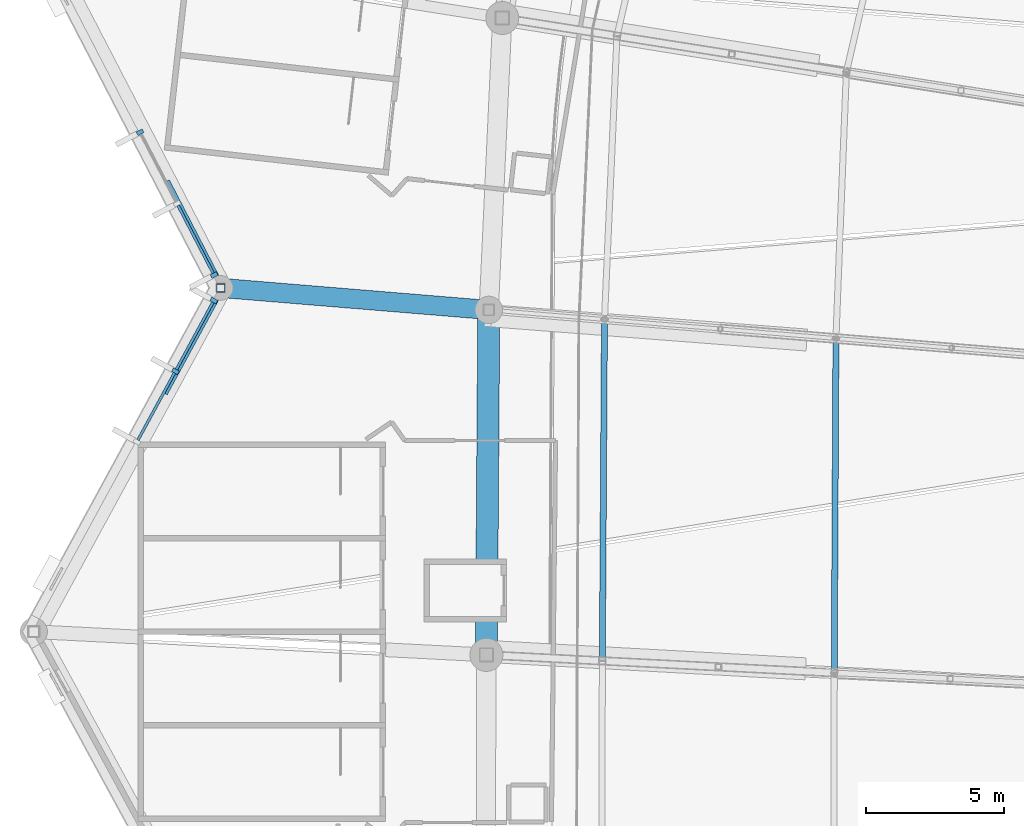
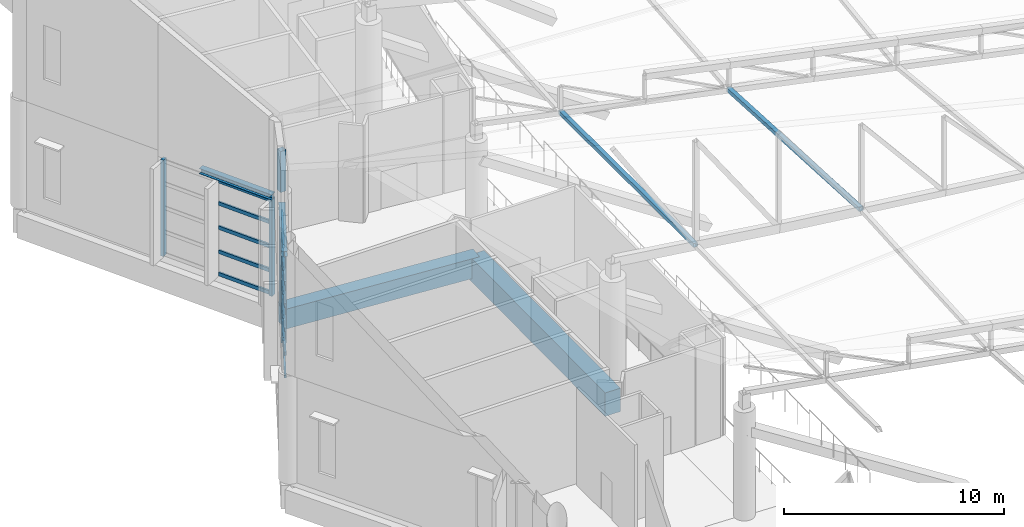
# One storey, part 119 of 344: 22 members, 4 beams, 2 elements without a shape of their own.
"""IFC4 building model written with IfcOpenShell, lengths in metres."""

from ifc_helpers import new_model, si_unit, direction, frame, origin, origin_2d, place, context, subcontext, project, spatial, rectangle, hollow_rectangle, i_section, extrude, material, layer, layer_set, material_profile, profile_set, type_object, element, aggregate, save


model = new_model("IFC4")

# Units and contexts
model_context = context("Model", 3, precision=1e-05, world=origin(), true_north=direction((0.0, 1.0)))
body_context = subcontext(model_context, "Body", "Model", "MODEL_VIEW")
ifc_project = project(units=[si_unit("LENGTHUNIT", "METRE"), si_unit("AREAUNIT", "SQUARE_METRE"), si_unit("VOLUMEUNIT", "CUBIC_METRE"), si_unit("PLANEANGLEUNIT", "RADIAN"), si_unit("MASSUNIT", "GRAM", prefix="KILO")], contexts=[model_context])

# Site, building, storey
site_placement = place(None, origin())
site = spatial("IfcSite", under=ifc_project, at=site_placement, CompositionType="ELEMENT")
building_placement = place(site_placement, origin())
building = spatial("IfcBuilding", under=site, at=building_placement, Name="Meseta Stadium", CompositionType="ELEMENT")
storey_placement = place(building_placement, frame((0.0, 0.0, 24.0)))
storey = spatial("IfcBuildingStorey", under=building, at=storey_placement, Name="L04", CompositionType="ELEMENT", Elevation=24.0)

# Beams
ifc_material_1 = material(Name="Steel S355", Category="steel")
ifc_material_profile_1 = material_profile(ifc_material_1, i_section(OverallWidth=0.300048828125, OverallDepth=0.300048828125, WebThickness=0.010986328125, FlangeThickness=0.01904296875, FilletRadius=0.027099609375, at=origin_2d()), Name="HEB 300")
ifc_profile_set_1 = profile_set([ifc_material_profile_1], Name="Steel S355")
beam_type_1 = type_object("IfcBeamType", Name="Atrium lintel beam HEB 300", PredefinedType="BEAM", material=ifc_profile_set_1)
beam_1_placement = place(storey_placement, frame((-94.806884765625, 44.1494140625, 5.5), z_axis=(-0.460037579382, 0.887899445633, 0.0), x_axis=(-0.887899445633, -0.460037579382, 0.0)))
element("IfcBeam", 1, at=beam_1_placement, inside=storey, type_object=beam_type_1, Name="Atrium lintel beam F28", PredefinedType="BEAM", context=body_context, shape_type="SweptSolid", body=[
    extrude(i_section(OverallWidth=0.300048828125, OverallDepth=0.300048828125, WebThickness=0.010986328125, FlangeThickness=0.01904296875, FilletRadius=0.027099609375, at=origin_2d()), origin(), (0.0, 0.0, 1.0), 3.900146484375),
])
beam_2_placement = place(storey_placement, frame((-94.81494140625, 43.354736328125, 5.5), z_axis=(-0.47789568686, -0.878416593924, 0.0), x_axis=(0.878416593924, -0.47789568686, 0.0)))
element("IfcBeam", 2, at=beam_2_placement, inside=storey, type_object=beam_type_1, Name="Atrium lintel beam F29", PredefinedType="BEAM", context=body_context, shape_type="SweptSolid", body=[
    extrude(i_section(OverallWidth=0.300048828125, OverallDepth=0.300048828125, WebThickness=0.010986328125, FlangeThickness=0.01904296875, FilletRadius=0.027099609375, at=origin_2d()), origin(), (0.0, 0.0, 1.0), 3.89990234375),
])

# Curtain wall, members
ifc_material_2 = material(Name="Steel S355", Category="steel")
ifc_layer = layer(ifc_material_2, 0.300048828125)
ifc_layer_set = layer_set([ifc_layer], Name="Valley atrium curtain wall")
curtain_wall_type = type_object("IfcCurtainWallType", Name="Valley atrium curtain wall", PredefinedType="NOTDEFINED", material=ifc_layer_set)
curtain_wall_1_placement = place(storey_placement, origin())
curtain_wall_1 = element("IfcCurtainWall", 3, at=curtain_wall_1_placement, inside=storey, type_object=curtain_wall_type, Name="Valley atrium glazing F28", PredefinedType="NOTDEFINED")
ifc_material_3 = material(Name="Steel S355", Category="steel")
ifc_material_profile_2 = material_profile(ifc_material_3, rectangle(XDim=0.25, YDim=0.14990234375, at=origin_2d()), Name="CW 250x150")
ifc_profile_set_2 = profile_set([ifc_material_profile_2], Name="Steel S355")
member_type_1 = type_object("IfcMemberType", Name="CW mullion bar 250x150", PredefinedType="MULLION", material=ifc_profile_set_2)
member_1_placement = place(storey_placement, frame((-97.532470703125, 49.41015625, 0.0), z_axis=(0.0, 0.0, 1.0), x_axis=(0.887910877066, 0.460015515377, 0.0)))
member_1 = element("IfcMember", 4, at=member_1_placement, type_object=member_type_1, Name="CWA mullion 1", PredefinedType="MULLION", context=body_context, shape_type="SweptSolid", body=[
    extrude(rectangle(XDim=0.25, YDim=0.14990234375, at=origin_2d()), origin(), (0.0, 0.0, 1.0), 5.35009765625),
])
member_2_placement = place(storey_placement, frame((-94.84130859375, 44.2158203125, 0.0), z_axis=(0.0, 0.0, 1.0), x_axis=(0.887910877066, 0.460015515377, 0.0)))
member_2 = element("IfcMember", 5, at=member_2_placement, type_object=member_type_1, Name="CWA mullion 3", PredefinedType="MULLION", context=body_context, shape_type="SweptSolid", body=[
    extrude(rectangle(XDim=0.25, YDim=0.14990234375, at=origin_2d()), origin(), (0.0, 0.0, 1.0), 5.35009765625),
])

curtain_wall_2_placement = place(storey_placement, origin())
curtain_wall_2 = element("IfcCurtainWall", 6, at=curtain_wall_2_placement, inside=storey, type_object=curtain_wall_type, Name="Valley atrium glazing F29", PredefinedType="NOTDEFINED")
member_3_placement = place(storey_placement, frame((-94.850830078125, 43.2890625, 0.0), z_axis=(0.0, 0.0, 1.0), x_axis=(0.8784321511, -0.477867090218, 0.0)))
member_3 = element("IfcMember", 7, at=member_3_placement, type_object=member_type_1, Name="CWA mullion 1", PredefinedType="MULLION", context=body_context, shape_type="SweptSolid", body=[
    extrude(rectangle(XDim=0.25, YDim=0.14990234375, at=origin_2d()), origin(), (0.0, 0.0, 1.0), 5.35009765625),
])
member_4_placement = place(storey_placement, frame((-96.24853515625, 40.719482421875, 0.0), z_axis=(0.0, 0.0, 1.0), x_axis=(0.8784321511, -0.477867090218, 0.0)))
member_4 = element("IfcMember", 8, at=member_4_placement, type_object=member_type_1, Name="CWA mullion 2", PredefinedType="MULLION", context=body_context, shape_type="SweptSolid", body=[
    extrude(rectangle(XDim=0.25, YDim=0.14990234375, at=origin_2d()), origin(), (0.0, 0.0, 1.0), 5.35009765625),
])

# Member
ifc_material_4 = material(Name="Steel S355", Category="steel")
ifc_material_profile_3 = material_profile(ifc_material_4, hollow_rectangle(XDim=0.10009765625, YDim=0.199951171875, WallThickness=0.008056640625, at=origin_2d()), Name="RHS 200x100x8")
ifc_profile_set_3 = profile_set([ifc_material_profile_3], Name="Steel S355")
member_type_2 = type_object("IfcMemberType", Name="CW transom RHS 200x100x8", PredefinedType="USERDEFINED", material=ifc_profile_set_3)
member_5_placement = place(storey_placement, frame((-96.15234375, 46.74658203125, 0.10009765625), z_axis=(0.459942199987, -0.887948857013, 0.0), x_axis=(0.887948857013, 0.459942199987, 0.0)))
member_5 = element("IfcMember", 9, at=member_5_placement, type_object=member_type_2, Name="CWA transom 2.1", ObjectType="TRANSOM", PredefinedType="USERDEFINED", context=body_context, shape_type="SweptSolid", body=[
    extrude(hollow_rectangle(XDim=0.10009765625, YDim=0.199951171875, WallThickness=0.008056640625, at=origin_2d()), origin(), (0.0, 0.0, 1.0), 2.775146484375),
])

member_6_placement = place(storey_placement, frame((-96.15234375, 46.74658203125, 1.33740234375), z_axis=(0.459942199987, -0.887948857013, 0.0), x_axis=(0.887948857013, 0.459942199987, 0.0)))
member_6 = element("IfcMember", 10, at=member_6_placement, type_object=member_type_2, Name="CWA transom 2.2", ObjectType="TRANSOM", PredefinedType="USERDEFINED", context=body_context, shape_type="SweptSolid", body=[
    extrude(hollow_rectangle(XDim=0.10009765625, YDim=0.199951171875, WallThickness=0.008056640625, at=origin_2d()), origin(), (0.0, 0.0, 1.0), 2.775146484375),
])

member_7_placement = place(storey_placement, frame((-96.15234375, 46.74658203125, 2.675048828125), z_axis=(0.459942199987, -0.887948857013, 0.0), x_axis=(0.887948857013, 0.459942199987, 0.0)))
member_7 = element("IfcMember", 11, at=member_7_placement, type_object=member_type_2, Name="CWA transom 2.3", ObjectType="TRANSOM", PredefinedType="USERDEFINED", context=body_context, shape_type="SweptSolid", body=[
    extrude(hollow_rectangle(XDim=0.10009765625, YDim=0.199951171875, WallThickness=0.008056640625, at=origin_2d()), origin(), (0.0, 0.0, 1.0), 2.775146484375),
])

member_8_placement = place(storey_placement, frame((-96.15234375, 46.74658203125, 4.012451171875), z_axis=(0.459942199987, -0.887948857013, 0.0), x_axis=(0.887948857013, 0.459942199987, 0.0)))
member_8 = element("IfcMember", 12, at=member_8_placement, type_object=member_type_2, Name="CWA transom 2.4", ObjectType="TRANSOM", PredefinedType="USERDEFINED", context=body_context, shape_type="SweptSolid", body=[
    extrude(hollow_rectangle(XDim=0.10009765625, YDim=0.199951171875, WallThickness=0.008056640625, at=origin_2d()), origin(), (0.0, 0.0, 1.0), 2.775146484375),
])

member_9_placement = place(storey_placement, frame((-96.15234375, 46.74658203125, 5.25), z_axis=(0.459942199987, -0.887948857013, 0.0), x_axis=(0.887948857013, 0.459942199987, 0.0)))
member_9 = element("IfcMember", 13, at=member_9_placement, type_object=member_type_2, Name="CWA transom 2.5", ObjectType="TRANSOM", PredefinedType="USERDEFINED", context=body_context, shape_type="SweptSolid", body=[
    extrude(hollow_rectangle(XDim=0.10009765625, YDim=0.199951171875, WallThickness=0.008056640625, at=origin_2d()), origin(), (0.0, 0.0, 1.0), 2.775146484375),
])

aggregate(curtain_wall_1, [member_1, member_2, member_5, member_6, member_7, member_8, member_9])

member_10_placement = place(storey_placement, frame((-94.88671875, 43.22314453125, 0.10009765625), z_axis=(-0.477810063418, -0.878463171281, 0.0), x_axis=(0.878463171281, -0.477810063418, 0.0)))
member_10 = element("IfcMember", 14, at=member_10_placement, type_object=member_type_2, Name="CWA transom 1.1", ObjectType="TRANSOM", PredefinedType="USERDEFINED", context=body_context, shape_type="SweptSolid", body=[
    extrude(hollow_rectangle(XDim=0.10009765625, YDim=0.199951171875, WallThickness=0.008056640625, at=origin_2d()), origin(), (0.0, 0.0, 1.0), 2.77490234375),
])

member_11_placement = place(storey_placement, frame((-94.88671875, 43.22314453125, 1.33740234375), z_axis=(-0.477810063418, -0.878463171281, 0.0), x_axis=(0.878463171281, -0.477810063418, 0.0)))
member_11 = element("IfcMember", 15, at=member_11_placement, type_object=member_type_2, Name="CWA transom 1.2", ObjectType="TRANSOM", PredefinedType="USERDEFINED", context=body_context, shape_type="SweptSolid", body=[
    extrude(hollow_rectangle(XDim=0.10009765625, YDim=0.199951171875, WallThickness=0.008056640625, at=origin_2d()), origin(), (0.0, 0.0, 1.0), 2.77490234375),
])

member_12_placement = place(storey_placement, frame((-94.88671875, 43.22314453125, 2.675048828125), z_axis=(-0.477810063418, -0.878463171281, 0.0), x_axis=(0.878463171281, -0.477810063418, 0.0)))
member_12 = element("IfcMember", 16, at=member_12_placement, type_object=member_type_2, Name="CWA transom 1.3", ObjectType="TRANSOM", PredefinedType="USERDEFINED", context=body_context, shape_type="SweptSolid", body=[
    extrude(hollow_rectangle(XDim=0.10009765625, YDim=0.199951171875, WallThickness=0.008056640625, at=origin_2d()), origin(), (0.0, 0.0, 1.0), 2.77490234375),
])

member_13_placement = place(storey_placement, frame((-94.88671875, 43.22314453125, 4.012451171875), z_axis=(-0.477810063418, -0.878463171281, 0.0), x_axis=(0.878463171281, -0.477810063418, 0.0)))
member_13 = element("IfcMember", 17, at=member_13_placement, type_object=member_type_2, Name="CWA transom 1.4", ObjectType="TRANSOM", PredefinedType="USERDEFINED", context=body_context, shape_type="SweptSolid", body=[
    extrude(hollow_rectangle(XDim=0.10009765625, YDim=0.199951171875, WallThickness=0.008056640625, at=origin_2d()), origin(), (0.0, 0.0, 1.0), 2.77490234375),
])

member_14_placement = place(storey_placement, frame((-94.88671875, 43.22314453125, 5.25), z_axis=(-0.477810063418, -0.878463171281, 0.0), x_axis=(0.878463171281, -0.477810063418, 0.0)))
member_14 = element("IfcMember", 18, at=member_14_placement, type_object=member_type_2, Name="CWA transom 1.5", ObjectType="TRANSOM", PredefinedType="USERDEFINED", context=body_context, shape_type="SweptSolid", body=[
    extrude(hollow_rectangle(XDim=0.10009765625, YDim=0.199951171875, WallThickness=0.008056640625, at=origin_2d()), origin(), (0.0, 0.0, 1.0), 2.77490234375),
])

member_15_placement = place(storey_placement, frame((-96.284423828125, 40.653564453125, 0.10009765625), z_axis=(-0.477914884213, -0.878406149482, 0.0), x_axis=(0.878406149482, -0.477914884213, 0.0)))
member_15 = element("IfcMember", 19, at=member_15_placement, type_object=member_type_2, Name="CWA transom 2.1", ObjectType="TRANSOM", PredefinedType="USERDEFINED", context=body_context, shape_type="SweptSolid", body=[
    extrude(hollow_rectangle(XDim=0.10009765625, YDim=0.199951171875, WallThickness=0.008056640625, at=origin_2d()), origin(), (0.0, 0.0, 1.0), 2.77490234375),
])

member_16_placement = place(storey_placement, frame((-96.284423828125, 40.653564453125, 1.33740234375), z_axis=(-0.477914884213, -0.878406149482, 0.0), x_axis=(0.878406149482, -0.477914884213, 0.0)))
member_16 = element("IfcMember", 20, at=member_16_placement, type_object=member_type_2, Name="CWA transom 2.2", ObjectType="TRANSOM", PredefinedType="USERDEFINED", context=body_context, shape_type="SweptSolid", body=[
    extrude(hollow_rectangle(XDim=0.10009765625, YDim=0.199951171875, WallThickness=0.008056640625, at=origin_2d()), origin(), (0.0, 0.0, 1.0), 2.77490234375),
])

member_17_placement = place(storey_placement, frame((-96.284423828125, 40.653564453125, 2.675048828125), z_axis=(-0.477914884213, -0.878406149482, 0.0), x_axis=(0.878406149482, -0.477914884213, 0.0)))
member_17 = element("IfcMember", 21, at=member_17_placement, type_object=member_type_2, Name="CWA transom 2.3", ObjectType="TRANSOM", PredefinedType="USERDEFINED", context=body_context, shape_type="SweptSolid", body=[
    extrude(hollow_rectangle(XDim=0.10009765625, YDim=0.199951171875, WallThickness=0.008056640625, at=origin_2d()), origin(), (0.0, 0.0, 1.0), 2.77490234375),
])

member_18_placement = place(storey_placement, frame((-96.284423828125, 40.653564453125, 4.012451171875), z_axis=(-0.477914884213, -0.878406149482, 0.0), x_axis=(0.878406149482, -0.477914884213, 0.0)))
member_18 = element("IfcMember", 22, at=member_18_placement, type_object=member_type_2, Name="CWA transom 2.4", ObjectType="TRANSOM", PredefinedType="USERDEFINED", context=body_context, shape_type="SweptSolid", body=[
    extrude(hollow_rectangle(XDim=0.10009765625, YDim=0.199951171875, WallThickness=0.008056640625, at=origin_2d()), origin(), (0.0, 0.0, 1.0), 2.77490234375),
])

member_19_placement = place(storey_placement, frame((-96.284423828125, 40.653564453125, 5.25), z_axis=(-0.477914884213, -0.878406149482, 0.0), x_axis=(0.878406149482, -0.477914884213, 0.0)))
member_19 = element("IfcMember", 23, at=member_19_placement, type_object=member_type_2, Name="CWA transom 2.5", ObjectType="TRANSOM", PredefinedType="USERDEFINED", context=body_context, shape_type="SweptSolid", body=[
    extrude(hollow_rectangle(XDim=0.10009765625, YDim=0.199951171875, WallThickness=0.008056640625, at=origin_2d()), origin(), (0.0, 0.0, 1.0), 2.77490234375),
])

aggregate(curtain_wall_2, [member_3, member_4, member_10, member_11, member_12, member_13, member_14, member_15, member_16, member_17, member_18, member_19])

# Beams
ifc_material_5 = material(Name="Concrete C40/50", Category="concrete")
ifc_material_profile_4 = material_profile(ifc_material_5, rectangle(XDim=0.699951171875, YDim=1.10009765625, at=origin_2d()), Name="RC 700x1100")
ifc_profile_set_4 = profile_set([ifc_material_profile_4], Name="Concrete C40/50")
beam_type_2 = type_object("IfcBeamType", Name="RC beam 700x1100", PredefinedType="BEAM", material=ifc_profile_set_4)
beam_3_placement = place(storey_placement, frame((-84.85400390625, 42.948486328125, -0.949951171875), z_axis=(-0.996635391437, 0.081962775303, 0.0), x_axis=(-0.081962775303, -0.996635391437, 0.0)))
element("IfcBeam", 24, at=beam_3_placement, inside=storey, type_object=beam_type_2, Name="L04 radial beam frame 29 line P to R", PredefinedType="BEAM", context=body_context, shape_type="SweptSolid", body=[
    extrude(rectangle(XDim=0.699951171875, YDim=1.10009765625, at=origin_2d()), origin(), (0.0, 0.0, 1.0), 9.779052734375),
])
ifc_material_6 = material(Name="Concrete C40/50", Category="concrete")
ifc_material_profile_5 = material_profile(ifc_material_6, rectangle(XDim=0.800048828125, YDim=1.300048828125, at=origin_2d()), Name="RC 800x1300")
ifc_profile_set_5 = profile_set([ifc_material_profile_5], Name="Concrete C40/50")
beam_type_3 = type_object("IfcBeamType", Name="RC beam 800x1300", PredefinedType="BEAM", material=ifc_profile_set_5)
beam_4_placement = place(storey_placement, frame((-84.85400390625, 42.948486328125, -1.050048828125), z_axis=(-0.006908869398, -0.999976133477, 0.0), x_axis=(0.999976133477, -0.006908869398, 0.0)))
element("IfcBeam", 25, at=beam_4_placement, inside=storey, type_object=beam_type_3, Name="L04 ring beam frame 29 line P", PredefinedType="BEAM", context=body_context, shape_type="SweptSolid", body=[
    extrude(rectangle(XDim=0.800048828125, YDim=1.300048828125, at=origin_2d()), origin(), (0.0, 0.0, 1.0), 12.544677734375),
])

# Members
ifc_material_7 = material(Name="Steel S355", Category="steel")
ifc_material_profile_6 = material_profile(ifc_material_7, hollow_rectangle(XDim=0.219970703125, YDim=0.219970703125, WallThickness=0.008056640625, at=origin_2d()), Name="SHS 220x220x8")
ifc_profile_set_6 = profile_set([ifc_material_profile_6], Name="Steel S355")
member_type_3 = type_object("IfcMemberType", Name="SHS 220x220x8 strut", PredefinedType="STRUT", material=ifc_profile_set_6)
member_20_placement = place(storey_placement, frame((-72.230224609375, 41.910400390625, 4.899658203125), z_axis=(-0.004971721972, -0.9982135168, 0.059540380071), x_axis=(0.999987596944, -0.004980557991, 0.0)))
element("IfcMember", 26, at=member_20_placement, inside=storey, type_object=member_type_3, Name="ROOF TRUSS STRUT RT-29/30", PredefinedType="STRUT", context=body_context, shape_type="SweptSolid", body=[
    extrude(hollow_rectangle(XDim=0.219970703125, YDim=0.219970703125, WallThickness=0.008056640625, at=origin_2d()), origin(), (0.0, 0.0, 1.0), 12.17822265625),
])
member_21_placement = place(storey_placement, frame((-80.64599609375, 42.6025390625, 6.16650390625), z_axis=(-0.006292035434, -0.999902743573, 0.012446432594), x_axis=(0.999980201882, -0.006292522852, 0.0)))
element("IfcMember", 27, at=member_21_placement, inside=storey, type_object=member_type_3, Name="ROOF TRUSS STRUT RT-29/30", PredefinedType="STRUT", context=body_context, shape_type="SweptSolid", body=[
    extrude(hollow_rectangle(XDim=0.219970703125, YDim=0.219970703125, WallThickness=0.008056640625, at=origin_2d()), origin(), (0.0, 0.0, 1.0), 12.41650390625),
])
ifc_material_8 = material(Name="Steel S355", Category="steel")
ifc_material_profile_7 = material_profile(ifc_material_8, hollow_rectangle(XDim=0.300048828125, YDim=0.300048828125, WallThickness=0.010009765625, at=origin_2d()), Name="SHS 300x300x10")
ifc_profile_set_7 = profile_set([ifc_material_profile_7], Name="Steel S355")
member_type_4 = type_object("IfcMemberType", Name="SHS 300x300x10 rim post", PredefinedType="POST", material=ifc_profile_set_7)
member_22_placement = place(storey_placement, frame((-94.60009765625, 43.75, 6.0), z_axis=(0.0, 0.0, 1.0), x_axis=(1.0, 0.0, 0.0)))
element("IfcMember", 28, at=member_22_placement, inside=storey, type_object=member_type_4, Name="ROOF RIM POST RT-29", PredefinedType="POST", context=body_context, shape_type="SweptSolid", body=[
    extrude(hollow_rectangle(XDim=0.300048828125, YDim=0.300048828125, WallThickness=0.010009765625, at=origin_2d()), origin(), (0.0, 0.0, 1.0), 2.26708984375),
])

save(model, "model.ifc")
